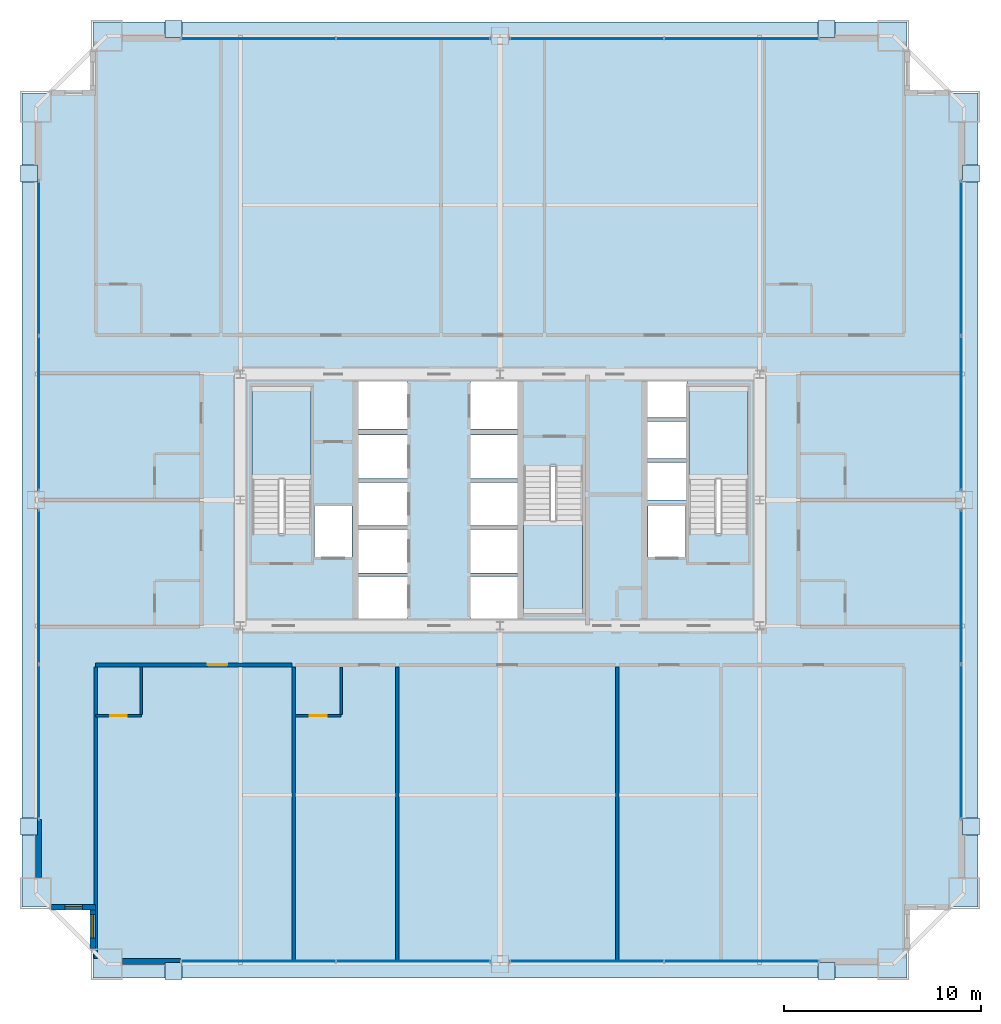
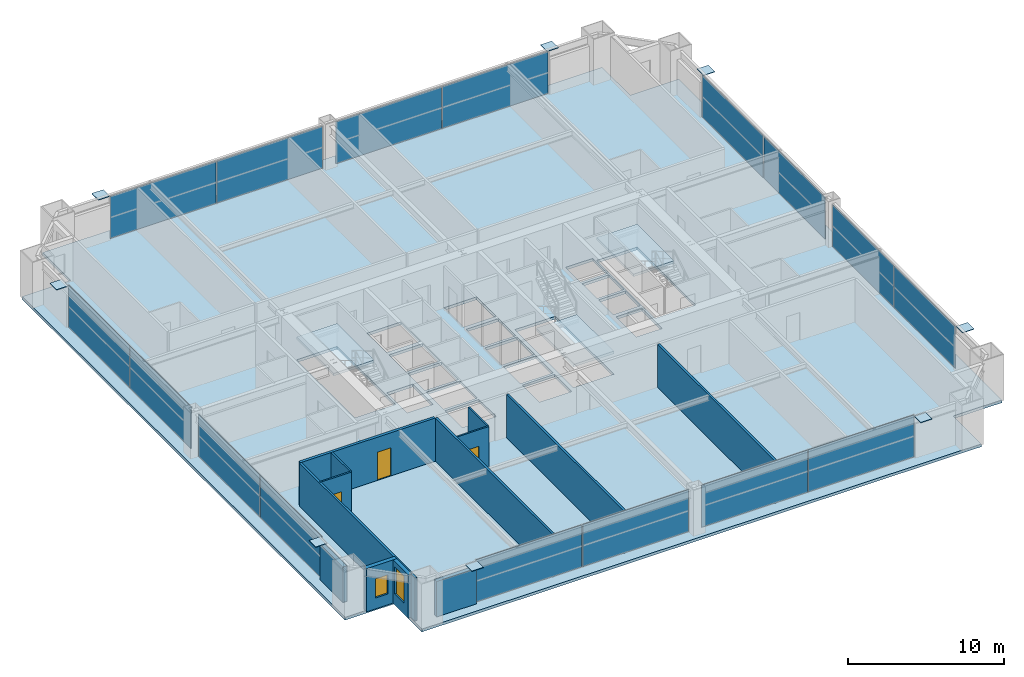
# One storey, part 34 of 39: 24 plates, 13 walls, 4 slabs, 3 doors, 2 windows, 5 openings, 11 elements without a shape of their own.
"""IFC4 building model written with IfcOpenShell, lengths in metres."""

from ifc_helpers import new_model, si_unit, direction, frame, frame_2d, origin, origin_2d, place, context, subcontext, project, spatial, polyline, rectangle, outline, extrude, source, transform, mapped, material, layer, layer_set, type_object, element, fill, aggregate, save


model = new_model("IFC4")

# Units and contexts
model_context = context("Model", 3, precision=1e-05, world=origin(), true_north=direction((0.0, 1.0)))
body_context = subcontext(model_context, "Body", "Model", "MODEL_VIEW")
ifc_project = project(units=[si_unit("LENGTHUNIT", "METRE"), si_unit("AREAUNIT", "SQUARE_METRE"), si_unit("VOLUMEUNIT", "CUBIC_METRE"), si_unit("PLANEANGLEUNIT", "RADIAN"), si_unit("MASSUNIT", "GRAM", prefix="KILO"), si_unit("THERMODYNAMICTEMPERATUREUNIT", "KELVIN"), si_unit("POWERUNIT", "WATT")], contexts=[model_context])

# Site, building, storey
site_placement = place(None, origin())
site = spatial("IfcSite", under=ifc_project, at=site_placement, CompositionType="ELEMENT")
building_placement = place(site_placement, origin())
building = spatial("IfcBuilding", under=site, at=building_placement, Name="Yuzanri Waterfront Tower", CompositionType="ELEMENT")
storey_placement = place(building_placement, frame((0.0, 0.0, 134.39990234375)))
storey = spatial("IfcBuildingStorey", under=building, at=storey_placement, Name="L35", CompositionType="ELEMENT", Elevation=134.39990234375)

# Stair, slab
ifc_material_1 = material(Name="Concrete C40", Category="concrete")
stair_type = type_object("IfcStairType", Name="Concrete C40 Core Dogleg Exit Stair", PredefinedType="HALF_TURN_STAIR", material=ifc_material_1)
stair_1_placement = place(storey_placement, origin())
stair_1 = element("IfcStair", 1, at=stair_1_placement, inside=storey, type_object=stair_type, Name="L35 Smoke-Proof Core Stair ST-01", PredefinedType="HALF_TURN_STAIR")
ifc_material_2 = material(Name="Concrete C40", Category="concrete")
ifc_layer_1 = layer(ifc_material_2, 0.179931640625)
ifc_layer_set_1 = layer_set([ifc_layer_1], Name="Concrete C40")
slab_type_1 = type_object("IfcSlabType", Name="Concrete C40 Stair Half-Landing Slab 180", PredefinedType="LANDING", material=ifc_layer_set_1)
slab_1_placement = place(storey_placement, frame((0.0, 0.0, 1.60009765625)))
slab_1 = element("IfcSlab", 2, at=slab_1_placement, type_object=slab_type_1, Name="ST-01 landing 1", PredefinedType="LANDING", context=body_context, shape_type="SweptSolid", body=[
    extrude(outline(polyline([(27.39990234375, 26.840087890625), (27.39990234375, 31.580078125), (24.39990234375, 31.580078125), (24.39990234375, 26.840087890625), (27.39990234375, 26.840087890625)])), origin(), (0.0, 0.0, 1.0), 0.199951171875),
])
aggregate(stair_1, [slab_1])

stair_2_placement = place(storey_placement, origin())
stair_2 = element("IfcStair", 3, at=stair_2_placement, inside=storey, type_object=stair_type, Name="L35 Smoke-Proof Core Stair ST-02", PredefinedType="HALF_TURN_STAIR")
slab_2_placement = place(storey_placement, frame((0.0, 0.0, 1.60009765625)))
slab_2 = element("IfcSlab", 4, at=slab_2_placement, type_object=slab_type_1, Name="ST-02 landing 1", PredefinedType="LANDING", context=body_context, shape_type="SweptSolid", body=[
    extrude(outline(polyline([(49.60009765625, 26.840087890625), (49.60009765625, 31.580078125), (46.60009765625, 31.580078125), (46.60009765625, 26.840087890625), (49.60009765625, 26.840087890625)])), origin(), (0.0, 0.0, 1.0), 0.199951171875),
])
aggregate(stair_2, [slab_2])

stair_3_placement = place(storey_placement, origin())
stair_3 = element("IfcStair", 5, at=stair_3_placement, inside=storey, type_object=stair_type, Name="L35 Smoke-Proof Core Stair ST-03", PredefinedType="HALF_TURN_STAIR")
slab_3_placement = place(storey_placement, frame((0.0, 0.0, 1.60009765625)))
slab_3 = element("IfcSlab", 6, at=slab_3_placement, type_object=slab_type_1, Name="ST-03 landing 1", PredefinedType="LANDING", context=body_context, shape_type="SweptSolid", body=[
    extrude(outline(polyline([(38.199951171875, 24.760009765625), (38.199951171875, 20.02001953125), (41.199951171875, 20.02001953125), (41.199951171875, 24.760009765625), (38.199951171875, 24.760009765625)])), origin(), (0.0, 0.0, 1.0), 0.199951171875),
])
aggregate(stair_3, [slab_3])

# Slab
ifc_material_3 = material(Name="Concrete C40", Category="concrete")
ifc_layer_2 = layer(ifc_material_3, 0.219970703125)
ifc_layer_set_2 = layer_set([ifc_layer_2], Name="Concrete C40")
slab_type_2 = type_object("IfcSlabType", Name="Concrete C40 Tower Typical Structural Floor Slab 220", PredefinedType="FLOOR", material=ifc_layer_set_2)
slab_4_placement = place(storey_placement, frame((0.0, 0.0, -0.219970703125)))
element("IfcSlab", 7, at=slab_4_placement, inside=storey, type_object=slab_type_2, Name="L35 Main Structural Floor Slab", PredefinedType="FLOOR", context=body_context, shape_type="SweptSolid", body=[
    extrude(outline(polyline([(16.300048828125, 1.5), (57.699951171875, 1.5), (57.699951171875, 5.10009765625), (61.300048828125, 5.10009765625), (61.300048828125, 46.5), (57.699951171875, 46.5), (57.699951171875, 50.10009765625), (16.300048828125, 50.10009765625), (16.300048828125, 46.5), (12.699951171875, 46.5), (12.699951171875, 5.10009765625), (16.300048828125, 5.10009765625), (16.300048828125, 1.5)]), holes=[polyline([(27.39990234375, 24.10009765625), (27.39990234375, 31.580078125), (24.39990234375, 31.580078125), (24.39990234375, 24.10009765625), (27.39990234375, 24.10009765625)]), polyline([(49.60009765625, 24.10009765625), (49.60009765625, 31.580078125), (46.60009765625, 31.580078125), (46.60009765625, 24.10009765625), (49.60009765625, 24.10009765625)]), polyline([(38.199951171875, 27.5), (38.199951171875, 20.02001953125), (41.199951171875, 20.02001953125), (41.199951171875, 27.5), (38.199951171875, 27.5)]), polyline([(27.56005859375, 22.89990234375), (29.47998046875, 22.89990234375), (29.47998046875, 25.5), (27.56005859375, 25.5), (27.56005859375, 22.89990234375)]), polyline([(44.52001953125, 22.89990234375), (46.43994140625, 22.89990234375), (46.43994140625, 25.5), (44.52001953125, 25.5), (44.52001953125, 22.89990234375)]), polyline([(29.800048828125, 19.699951171875), (32.300048828125, 19.699951171875), (32.300048828125, 21.89990234375), (29.800048828125, 21.89990234375), (29.800048828125, 19.699951171875)]), polyline([(29.800048828125, 22.10009765625), (32.300048828125, 22.10009765625), (32.300048828125, 24.300048828125), (29.800048828125, 24.300048828125), (29.800048828125, 22.10009765625)]), polyline([(29.800048828125, 24.5), (32.300048828125, 24.5), (32.300048828125, 26.699951171875), (29.800048828125, 26.699951171875), (29.800048828125, 24.5)]), polyline([(29.800048828125, 26.89990234375), (32.300048828125, 26.89990234375), (32.300048828125, 29.10009765625), (29.800048828125, 29.10009765625), (29.800048828125, 26.89990234375)]), polyline([(29.800048828125, 29.39990234375), (32.300048828125, 29.39990234375), (32.300048828125, 31.89990234375), (29.800048828125, 31.89990234375), (29.800048828125, 29.39990234375)]), polyline([(35.5, 19.699951171875), (37.89990234375, 19.699951171875), (37.89990234375, 21.89990234375), (35.5, 21.89990234375), (35.5, 19.699951171875)]), polyline([(35.5, 22.10009765625), (37.89990234375, 22.10009765625), (37.89990234375, 24.300048828125), (35.5, 24.300048828125), (35.5, 22.10009765625)]), polyline([(35.5, 24.5), (37.89990234375, 24.5), (37.89990234375, 26.699951171875), (35.5, 26.699951171875), (35.5, 24.5)]), polyline([(35.5, 26.89990234375), (37.89990234375, 26.89990234375), (37.89990234375, 29.10009765625), (35.5, 29.10009765625), (35.5, 26.89990234375)]), polyline([(35.5, 29.39990234375), (37.89990234375, 29.39990234375), (37.89990234375, 31.89990234375), (35.5, 31.89990234375), (35.5, 29.39990234375)]), polyline([(44.5, 25.800048828125), (46.5, 25.800048828125), (46.5, 27.699951171875), (44.5, 27.699951171875), (44.5, 25.800048828125)]), polyline([(44.5, 27.89990234375), (46.5, 27.89990234375), (46.5, 29.800048828125), (44.5, 29.800048828125), (44.5, 27.89990234375)]), polyline([(44.5, 30.0), (46.5, 30.0), (46.5, 31.89990234375), (44.5, 31.89990234375), (44.5, 30.0)])]), origin(), (0.0, 0.0, 1.0), 0.219970703125),
])

# Plates
ifc_material_4 = material(Name="Steel Q420GJC", Category="steel")
ifc_layer_3 = layer(ifc_material_4, 0.0400390625)
ifc_layer_set_3 = layer_set([ifc_layer_3], Name="Steel Q420GJC")
plate_type_1 = type_object("IfcPlateType", Name="Steel Q420GJC Mega-Brace Gusset and End-Cap Plate 40", PredefinedType="SHEET", material=ifc_layer_set_3)
shared_shape_1 = source(origin(), body_context, "Body", "SweptSolid", [
    extrude(rectangle(XDim=0.85009765625, YDim=0.85009765625, at=origin_2d()), origin(), (0.0, 0.0, 1.0), 0.0400390625),
])
for number, where, z_axis, x_axis, name in (
    (8, (20.39990234375, 1.860107421875, 3.260009765625), (0.0, 0.0, 1.0), (1.0, 0.0, 0.0), "L35 Mega-Brace Apex Cap Plate S-L"),
    (9, (53.60009765625, 1.860107421875, 3.260009765625), (0.0, 0.0, 1.0), (1.0, 0.0, 0.0), "L35 Mega-Brace Apex Cap Plate S-R"),
    (10, (20.39990234375, 49.739990234375, 3.260009765625), (0.0, 0.0, 1.0), (1.0, 0.0, 0.0), "L35 Mega-Brace Apex Cap Plate N-L"),
    (11, (53.60009765625, 49.739990234375, 3.260009765625), (0.0, 0.0, 1.0), (1.0, 0.0, 0.0), "L35 Mega-Brace Apex Cap Plate N-R"),
    (12, (13.06005859375, 9.199951171875, 3.260009765625), (0.0, 0.0, 1.0), (1.0, 0.0, 0.0), "L35 Mega-Brace Apex Cap Plate W-L"),
    (13, (13.06005859375, 42.39990234375, 3.260009765625), (0.0, 0.0, 1.0), (1.0, 0.0, 0.0), "L35 Mega-Brace Apex Cap Plate W-R"),
    (14, (60.93994140625, 9.199951171875, 3.260009765625), (0.0, 0.0, 1.0), (1.0, 0.0, 0.0), "L35 Mega-Brace Apex Cap Plate E-L"),
    (15, (60.93994140625, 42.39990234375, 3.260009765625), (0.0, 0.0, 1.0), (1.0, 0.0, 0.0), "L35 Mega-Brace Apex Cap Plate E-R"),
):
    element("IfcPlate", number, at=place(storey_placement, frame(where, z_axis=z_axis, x_axis=x_axis)), inside=storey, type_object=plate_type_1, Name=name, PredefinedType="SHEET", context=body_context, shape_type="MappedRepresentation", body=[
        mapped(shared_shape_1, transform((0.0, 0.0, 0.0), scale=1.0)),
    ])

# Curtain wall, plates
ifc_material_5 = material(Name="Anodized Architectural Bronze", Category="metal")
ifc_layer_4 = layer(ifc_material_5, 0.159912109375)
ifc_layer_set_4 = layer_set([ifc_layer_4], Name="Anodized Architectural Bronze")
curtain_wall_type = type_object("IfcCurtainWallType", Name="Anodized Bronze Hotel Upper-Tier Solar-Control Unitized Curtain Wall 7800", PredefinedType="NOTDEFINED", material=ifc_layer_set_4)
curtain_wall_1_placement = place(storey_placement, origin())
curtain_wall_1 = element("IfcCurtainWall", 16, at=curtain_wall_1_placement, inside=storey, type_object=curtain_wall_type, Name="L35 Curtain Wall CW-L35-SL", PredefinedType="NOTDEFINED")
ifc_material_6 = material(Name="Double-Silver Low-E Insulated Glass", Category="glass")
ifc_layer_5 = layer(ifc_material_6, 0.035888671875)
ifc_layer_set_5 = layer_set([ifc_layer_5], Name="Double-Silver Low-E Insulated Glass")
plate_type_2 = type_object("IfcPlateType", Name="Double Silver Low-E Insulated Vision Glass Panel 36", PredefinedType="CURTAIN_PANEL", material=ifc_layer_set_5)
shared_shape_2 = source(origin(), body_context, "Body", "SweptSolid", [
    extrude(rectangle(XDim=7.820068359375, YDim=0.035888671875, at=origin_2d()), origin(), (0.0, 0.0, 1.0), 3.280029296875),
])
plate_1_placement = place(storey_placement, frame((24.699951171875, 2.35009765625, 0.05029296875), z_axis=(0.0, 0.0, 1.0), x_axis=(1.0, 0.0, 0.0)))
plate_1 = element("IfcPlate", 17, at=plate_1_placement, type_object=plate_type_2, Name="CW-L35-SL Vision Glass Panel 01", PredefinedType="CURTAIN_PANEL", context=body_context, shape_type="MappedRepresentation", body=[
    mapped(shared_shape_2, transform((0.0, 0.0, 0.0), scale=1.0)),
])
plate_2_placement = place(storey_placement, frame((32.60009765625, 2.35009765625, 0.05029296875), z_axis=(0.0, 0.0, 1.0), x_axis=(1.0, 0.0, 0.0)))
plate_2 = element("IfcPlate", 18, at=plate_2_placement, type_object=plate_type_2, Name="CW-L35-SL Vision Glass Panel 02", PredefinedType="CURTAIN_PANEL", context=body_context, shape_type="MappedRepresentation", body=[
    mapped(shared_shape_2, transform((0.0, 0.0, 0.0), scale=1.0)),
])
aggregate(curtain_wall_1, [plate_1, plate_2])

curtain_wall_2_placement = place(storey_placement, origin())
curtain_wall_2 = element("IfcCurtainWall", 19, at=curtain_wall_2_placement, inside=storey, type_object=curtain_wall_type, Name="L35 Curtain Wall CW-L35-SR", PredefinedType="NOTDEFINED")
plate_3_placement = place(storey_placement, frame((41.39990234375, 2.35009765625, 0.05029296875), z_axis=(0.0, 0.0, 1.0), x_axis=(1.0, 0.0, 0.0)))
plate_3 = element("IfcPlate", 20, at=plate_3_placement, type_object=plate_type_2, Name="CW-L35-SR Vision Glass Panel 01", PredefinedType="CURTAIN_PANEL", context=body_context, shape_type="MappedRepresentation", body=[
    mapped(shared_shape_2, transform((0.0, 0.0, 0.0), scale=1.0)),
])
plate_4_placement = place(storey_placement, frame((49.300048828125, 2.35009765625, 0.05029296875), z_axis=(0.0, 0.0, 1.0), x_axis=(1.0, 0.0, 0.0)))
plate_4 = element("IfcPlate", 21, at=plate_4_placement, type_object=plate_type_2, Name="CW-L35-SR Vision Glass Panel 02", PredefinedType="CURTAIN_PANEL", context=body_context, shape_type="MappedRepresentation", body=[
    mapped(shared_shape_2, transform((0.0, 0.0, 0.0), scale=1.0)),
])
aggregate(curtain_wall_2, [plate_3, plate_4])

curtain_wall_3_placement = place(storey_placement, origin())
curtain_wall_3 = element("IfcCurtainWall", 22, at=curtain_wall_3_placement, inside=storey, type_object=curtain_wall_type, Name="L35 Curtain Wall CW-L35-NL", PredefinedType="NOTDEFINED")
plate_5_placement = place(storey_placement, frame((24.699951171875, 49.25, 0.05029296875), z_axis=(0.0, 0.0, 1.0), x_axis=(1.0, 0.0, 0.0)))
plate_5 = element("IfcPlate", 23, at=plate_5_placement, type_object=plate_type_2, Name="CW-L35-NL Vision Glass Panel 01", PredefinedType="CURTAIN_PANEL", context=body_context, shape_type="MappedRepresentation", body=[
    mapped(shared_shape_2, transform((0.0, 0.0, 0.0), scale=1.0)),
])
plate_6_placement = place(storey_placement, frame((32.60009765625, 49.25, 0.05029296875), z_axis=(0.0, 0.0, 1.0), x_axis=(1.0, 0.0, 0.0)))
plate_6 = element("IfcPlate", 24, at=plate_6_placement, type_object=plate_type_2, Name="CW-L35-NL Vision Glass Panel 02", PredefinedType="CURTAIN_PANEL", context=body_context, shape_type="MappedRepresentation", body=[
    mapped(shared_shape_2, transform((0.0, 0.0, 0.0), scale=1.0)),
])
aggregate(curtain_wall_3, [plate_5, plate_6])

curtain_wall_4_placement = place(storey_placement, origin())
curtain_wall_4 = element("IfcCurtainWall", 25, at=curtain_wall_4_placement, inside=storey, type_object=curtain_wall_type, Name="L35 Curtain Wall CW-L35-NR", PredefinedType="NOTDEFINED")
plate_7_placement = place(storey_placement, frame((41.39990234375, 49.25, 0.05029296875), z_axis=(0.0, 0.0, 1.0), x_axis=(1.0, 0.0, 0.0)))
plate_7 = element("IfcPlate", 26, at=plate_7_placement, type_object=plate_type_2, Name="CW-L35-NR Vision Glass Panel 01", PredefinedType="CURTAIN_PANEL", context=body_context, shape_type="MappedRepresentation", body=[
    mapped(shared_shape_2, transform((0.0, 0.0, 0.0), scale=1.0)),
])
plate_8_placement = place(storey_placement, frame((49.300048828125, 49.25, 0.05029296875), z_axis=(0.0, 0.0, 1.0), x_axis=(1.0, 0.0, 0.0)))
plate_8 = element("IfcPlate", 27, at=plate_8_placement, type_object=plate_type_2, Name="CW-L35-NR Vision Glass Panel 02", PredefinedType="CURTAIN_PANEL", context=body_context, shape_type="MappedRepresentation", body=[
    mapped(shared_shape_2, transform((0.0, 0.0, 0.0), scale=1.0)),
])
aggregate(curtain_wall_4, [plate_7, plate_8])

curtain_wall_5_placement = place(storey_placement, origin())
curtain_wall_5 = element("IfcCurtainWall", 28, at=curtain_wall_5_placement, inside=storey, type_object=curtain_wall_type, Name="L35 Curtain Wall CW-L35-WL", PredefinedType="NOTDEFINED")
plate_9_placement = place(storey_placement, frame((13.550048828125, 13.5, 0.05029296875), z_axis=(0.0, 0.0, 1.0), x_axis=(0.0, 1.0, 0.0)))
plate_9 = element("IfcPlate", 29, at=plate_9_placement, type_object=plate_type_2, Name="CW-L35-WL Vision Glass Panel 01", PredefinedType="CURTAIN_PANEL", context=body_context, shape_type="MappedRepresentation", body=[
    mapped(shared_shape_2, transform((0.0, 0.0, 0.0), scale=1.0)),
])
plate_10_placement = place(storey_placement, frame((13.550048828125, 21.39990234375, 0.05029296875), z_axis=(0.0, 0.0, 1.0), x_axis=(0.0, 1.0, 0.0)))
plate_10 = element("IfcPlate", 30, at=plate_10_placement, type_object=plate_type_2, Name="CW-L35-WL Vision Glass Panel 02", PredefinedType="CURTAIN_PANEL", context=body_context, shape_type="MappedRepresentation", body=[
    mapped(shared_shape_2, transform((0.0, 0.0, 0.0), scale=1.0)),
])
aggregate(curtain_wall_5, [plate_9, plate_10])

curtain_wall_6_placement = place(storey_placement, origin())
curtain_wall_6 = element("IfcCurtainWall", 31, at=curtain_wall_6_placement, inside=storey, type_object=curtain_wall_type, Name="L35 Curtain Wall CW-L35-WR", PredefinedType="NOTDEFINED")
plate_11_placement = place(storey_placement, frame((13.550048828125, 30.199951171875, 0.05029296875), z_axis=(0.0, 0.0, 1.0), x_axis=(0.0, 1.0, 0.0)))
plate_11 = element("IfcPlate", 32, at=plate_11_placement, type_object=plate_type_2, Name="CW-L35-WR Vision Glass Panel 01", PredefinedType="CURTAIN_PANEL", context=body_context, shape_type="MappedRepresentation", body=[
    mapped(shared_shape_2, transform((0.0, 0.0, 0.0), scale=1.0)),
])
plate_12_placement = place(storey_placement, frame((13.550048828125, 38.10009765625, 0.05029296875), z_axis=(0.0, 0.0, 1.0), x_axis=(0.0, 1.0, 0.0)))
plate_12 = element("IfcPlate", 33, at=plate_12_placement, type_object=plate_type_2, Name="CW-L35-WR Vision Glass Panel 02", PredefinedType="CURTAIN_PANEL", context=body_context, shape_type="MappedRepresentation", body=[
    mapped(shared_shape_2, transform((0.0, 0.0, 0.0), scale=1.0)),
])
aggregate(curtain_wall_6, [plate_11, plate_12])

curtain_wall_7_placement = place(storey_placement, origin())
curtain_wall_7 = element("IfcCurtainWall", 34, at=curtain_wall_7_placement, inside=storey, type_object=curtain_wall_type, Name="L35 Curtain Wall CW-L35-EL", PredefinedType="NOTDEFINED")
plate_13_placement = place(storey_placement, frame((60.449951171875, 13.5, 0.05029296875), z_axis=(0.0, 0.0, 1.0), x_axis=(0.0, 1.0, 0.0)))
plate_13 = element("IfcPlate", 35, at=plate_13_placement, type_object=plate_type_2, Name="CW-L35-EL Vision Glass Panel 01", PredefinedType="CURTAIN_PANEL", context=body_context, shape_type="MappedRepresentation", body=[
    mapped(shared_shape_2, transform((0.0, 0.0, 0.0), scale=1.0)),
])
plate_14_placement = place(storey_placement, frame((60.449951171875, 21.39990234375, 0.05029296875), z_axis=(0.0, 0.0, 1.0), x_axis=(0.0, 1.0, 0.0)))
plate_14 = element("IfcPlate", 36, at=plate_14_placement, type_object=plate_type_2, Name="CW-L35-EL Vision Glass Panel 02", PredefinedType="CURTAIN_PANEL", context=body_context, shape_type="MappedRepresentation", body=[
    mapped(shared_shape_2, transform((0.0, 0.0, 0.0), scale=1.0)),
])
aggregate(curtain_wall_7, [plate_13, plate_14])

curtain_wall_8_placement = place(storey_placement, origin())
curtain_wall_8 = element("IfcCurtainWall", 37, at=curtain_wall_8_placement, inside=storey, type_object=curtain_wall_type, Name="L35 Curtain Wall CW-L35-ER", PredefinedType="NOTDEFINED")
plate_15_placement = place(storey_placement, frame((60.449951171875, 30.199951171875, 0.05029296875), z_axis=(0.0, 0.0, 1.0), x_axis=(0.0, 1.0, 0.0)))
plate_15 = element("IfcPlate", 38, at=plate_15_placement, type_object=plate_type_2, Name="CW-L35-ER Vision Glass Panel 01", PredefinedType="CURTAIN_PANEL", context=body_context, shape_type="MappedRepresentation", body=[
    mapped(shared_shape_2, transform((0.0, 0.0, 0.0), scale=1.0)),
])
plate_16_placement = place(storey_placement, frame((60.449951171875, 38.10009765625, 0.05029296875), z_axis=(0.0, 0.0, 1.0), x_axis=(0.0, 1.0, 0.0)))
plate_16 = element("IfcPlate", 39, at=plate_16_placement, type_object=plate_type_2, Name="CW-L35-ER Vision Glass Panel 02", PredefinedType="CURTAIN_PANEL", context=body_context, shape_type="MappedRepresentation", body=[
    mapped(shared_shape_2, transform((0.0, 0.0, 0.0), scale=1.0)),
])
aggregate(curtain_wall_8, [plate_15, plate_16])

# Wall, opening, door
ifc_material_7 = material(Name="Moisture-Resistant Gypsum Stud Wall", Category="gypsum")
ifc_layer_6 = layer(ifc_material_7, 0.1201171875)
ifc_layer_set_6 = layer_set([ifc_layer_6], Name="Moisture-Resistant Gypsum Stud Wall")
wall_type_1 = type_object("IfcWallType", Name="Bathroom and Kitchen Wet Partition 120", PredefinedType="PARTITIONING", material=ifc_layer_set_6)
wall_1_placement = place(storey_placement, frame((16.43994140625, 14.840087890625, 0.0), z_axis=(0.0, 0.0, 1.0), x_axis=(1.0, 0.0, 0.0)))
wall_1 = element("IfcWall", 40, at=wall_1_placement, inside=storey, type_object=wall_type_1, Name="L35 Partition UW-L35-S1-BS", PredefinedType="PARTITIONING", context=body_context, shape_type="SweptSolid", body=[
    extrude(rectangle(XDim=2.330078125, YDim=0.1201171875, at=frame_2d((1.1650390625, 0.0))), origin(), (0.0, 0.0, 1.0), 3.380126953125),
])
opening_1_placement = place(wall_1_placement, frame((0.739990234375, 0.0, 0.0)))
opening_1 = element("IfcOpeningElement", 41, at=opening_1_placement, cuts=wall_1, Name="Opening ID-0850", PredefinedType="OPENING", context=body_context, shape_type="SweptSolid", body=[
    extrude(rectangle(XDim=0.85009765625, YDim=2.10009765625, at=frame_2d((0.425048828125, 1.050048828125))), frame((0.0, 0.074951171875, 0.0), z_axis=(0.0, -1.0, 0.0), x_axis=(1.0, 0.0, 0.0)), (0.0, 0.0, 1.0), 0.14990234375),
])
ifc_material_8 = material(Name="Moisture-Resistant Lacquered Timber", Category="wood")
door_type_1 = type_object("IfcDoorType", Name="En-Suite Bathroom and Kitchen Swing Door 850x2100", OperationType="NOTDEFINED", PredefinedType="DOOR", material=ifc_material_8)
shared_shape_3 = source(origin(), body_context, "Body", "SweptSolid", [
    extrude(rectangle(XDim=0.85009765625, YDim=2.10009765625, at=frame_2d((0.425048828125, 1.050048828125))), frame((0.0, 0.02490234375, 0.0), z_axis=(0.0, -1.0, 0.0), x_axis=(1.0, 0.0, 0.0)), (0.0, 0.0, 1.0), 0.050048828125),
])
door_1_placement = place(opening_1_placement, origin())
door_1 = element("IfcDoor", 42, at=door_1_placement, inside=storey, type_object=door_type_1, Name="L35 Guest En-Suite Door", OperationType="SINGLE_SWING_RIGHT", OverallHeight=2.10009765625, OverallWidth=0.85009765625, PredefinedType="DOOR", context=body_context, shape_type="MappedRepresentation", body=[
    mapped(shared_shape_3, transform((0.0, 0.0, 0.0), scale=1.0)),
])
fill(opening_1, door_1)

wall_2_placement = place(storey_placement, frame((26.593994140625, 14.840087890625, 0.0), z_axis=(0.0, 0.0, 1.0), x_axis=(1.0, 0.0, 0.0)))
wall_2 = element("IfcWall", 43, at=wall_2_placement, inside=storey, type_object=wall_type_1, Name="L35 Partition UW-L35-S2-BS", PredefinedType="PARTITIONING", context=body_context, shape_type="SweptSolid", body=[
    extrude(rectangle(XDim=2.330078125, YDim=0.1201171875, at=frame_2d((1.1650390625, 0.0))), origin(), (0.0, 0.0, 1.0), 3.380126953125),
])
opening_2_placement = place(wall_2_placement, frame((0.739990234375, 0.0, 0.0)))
opening_2 = element("IfcOpeningElement", 44, at=opening_2_placement, cuts=wall_2, Name="Opening ID-0850", PredefinedType="OPENING", context=body_context, shape_type="SweptSolid", body=[
    extrude(rectangle(XDim=0.85009765625, YDim=2.10009765625, at=frame_2d((0.425048828125, 1.050048828125))), frame((0.0, 0.074951171875, 0.0), z_axis=(0.0, -1.0, 0.0), x_axis=(1.0, 0.0, 0.0)), (0.0, 0.0, 1.0), 0.14990234375),
])
door_2_placement = place(opening_2_placement, origin())
door_2 = element("IfcDoor", 45, at=door_2_placement, inside=storey, type_object=door_type_1, Name="L35 Guest En-Suite Door", OperationType="SINGLE_SWING_RIGHT", OverallHeight=2.10009765625, OverallWidth=0.85009765625, PredefinedType="DOOR", context=body_context, shape_type="MappedRepresentation", body=[
    mapped(shared_shape_3, transform((0.0, 0.0, 0.0), scale=1.0)),
])
fill(opening_2, door_2)

# Wall, opening, window
ifc_material_9 = material(Name="Honed Chongqing Dark Basalt Stone", Category="masonry")
ifc_layer_7 = layer(ifc_material_9, 0.300048828125)
ifc_layer_set_7 = layer_set([ifc_layer_7], Name="Honed Chongqing Dark Basalt Stone")
wall_type_2 = type_object("IfcWallType", Name="Bronze Rainscreen Insulated Spandrel Portal Wall 300", PredefinedType="SOLIDWALL", material=ifc_layer_set_7)
wall_3_placement = place(storey_placement, frame((14.199951171875, 5.10009765625, 0.0), z_axis=(0.0, 0.0, 1.0), x_axis=(1.0, 0.0, 0.0)))
wall_3 = element("IfcWall", 46, at=wall_3_placement, inside=storey, type_object=wall_type_2, Name="L35 Notched Corner Masonry Wall SW-X", PredefinedType="SOLIDWALL", context=body_context, shape_type="SweptSolid", body=[
    extrude(rectangle(XDim=2.25, YDim=0.300048828125, at=frame_2d((1.125, 0.0))), origin(), (0.0, 0.0, 1.0), 3.380126953125),
])
opening_3_placement = place(wall_3_placement, frame((0.675048828125, 0.0, 0.85009765625)))
opening_3 = element("IfcOpeningElement", 47, at=opening_3_placement, cuts=wall_3, Name="Opening WN-05", PredefinedType="OPENING", context=body_context, shape_type="SweptSolid", body=[
    extrude(rectangle(XDim=0.89990234375, YDim=1.5, at=frame_2d((0.449951171875, 0.75))), frame((0.0, 0.1650390625, 0.0), z_axis=(0.0, -1.0, 0.0), x_axis=(1.0, 0.0, 0.0)), (0.0, 0.0, 1.0), 0.329833984375),
])
ifc_material_10 = material(Name="Double-Silver Low-E Insulated Glass", Category="glass")
window_type_1 = type_object("IfcWindowType", Name="Anodized Bronze Service and Stairwell Smoke-Vent Window 900x1500", PartitioningType="SINGLE_PANEL", PredefinedType="WINDOW", material=ifc_material_10)
shared_shape_4 = source(origin(), body_context, "Body", "SweptSolid", [
    extrude(rectangle(XDim=0.89990234375, YDim=1.5, at=frame_2d((0.449951171875, 0.75))), frame((0.0, 0.030029296875, 0.0), z_axis=(0.0, -1.0, 0.0), x_axis=(1.0, 0.0, 0.0)), (0.0, 0.0, 1.0), 0.06005859375),
])
window_1_placement = place(opening_3_placement, origin())
window_1 = element("IfcWindow", 48, at=window_1_placement, inside=storey, type_object=window_type_1, Name="L35 Notched Corner Window SW-X", OverallHeight=1.5, OverallWidth=0.89990234375, PartitioningType="SINGLE_PANEL", PredefinedType="WINDOW", context=body_context, shape_type="MappedRepresentation", body=[
    mapped(shared_shape_4, transform((0.0, 0.0, 0.0), scale=1.0)),
])
fill(opening_3, window_1)

wall_4_placement = place(storey_placement, frame((16.300048828125, 5.25, 0.0), z_axis=(0.0, 0.0, 1.0), x_axis=(0.0, -1.0, 0.0)))
wall_4 = element("IfcWall", 49, at=wall_4_placement, inside=storey, type_object=wall_type_2, Name="L35 Notched Corner Masonry Wall SW-Y", PredefinedType="SOLIDWALL", context=body_context, shape_type="SweptSolid", body=[
    extrude(rectangle(XDim=2.25, YDim=0.300048828125, at=frame_2d((1.125, 0.0))), origin(), (0.0, 0.0, 1.0), 3.380126953125),
])
opening_4_placement = place(wall_4_placement, frame((0.52490234375, 0.0, 0.85009765625)))
opening_4 = element("IfcOpeningElement", 50, at=opening_4_placement, cuts=wall_4, Name="Opening WN-02", PredefinedType="OPENING", context=body_context, shape_type="SweptSolid", body=[
    extrude(rectangle(XDim=1.199951171875, YDim=2.10009765625, at=frame_2d((0.60009765625, 1.050048828125))), frame((0.0, 0.1650390625, 0.0), z_axis=(0.0, -1.0, 0.0), x_axis=(1.0, 0.0, 0.0)), (0.0, 0.0, 1.0), 0.329833984375),
])
ifc_material_11 = material(Name="Double-Silver Low-E Insulated Glass", Category="glass")
window_type_2 = type_object("IfcWindowType", Name="Anodized Bronze Notched Corner Deep-Set Slot Window 1200x2100", PartitioningType="SINGLE_PANEL", PredefinedType="WINDOW", material=ifc_material_11)
shared_shape_5 = source(origin(), body_context, "Body", "SweptSolid", [
    extrude(rectangle(XDim=1.199951171875, YDim=2.10009765625, at=frame_2d((0.60009765625, 1.050048828125))), frame((0.0, 0.030029296875, 0.0), z_axis=(0.0, -1.0, 0.0), x_axis=(1.0, 0.0, 0.0)), (0.0, 0.0, 1.0), 0.06005859375),
])
window_2_placement = place(opening_4_placement, origin())
window_2 = element("IfcWindow", 51, at=window_2_placement, inside=storey, type_object=window_type_2, Name="L35 Notched Corner Window SW-Y", OverallHeight=2.10009765625, OverallWidth=1.199951171875, PartitioningType="SINGLE_PANEL", PredefinedType="WINDOW", context=body_context, shape_type="MappedRepresentation", body=[
    mapped(shared_shape_5, transform((0.0, 0.0, 0.0), scale=1.0)),
])
fill(opening_4, window_2)

# Wall, opening, door
ifc_material_12 = material(Name="Autoclaved Aerated Concrete Blockwork", Category="masonry")
ifc_layer_8 = layer(ifc_material_12, 0.199951171875)
ifc_layer_set_8 = layer_set([ifc_layer_8], Name="Autoclaved Aerated Concrete Blockwork")
wall_type_3 = type_object("IfcWallType", Name="Corridor and Unit Party Fire Wall 200", PredefinedType="PARTITIONING", material=ifc_layer_set_8)
wall_5_placement = place(storey_placement, frame((16.43994140625, 17.419921875, 0.0), z_axis=(0.0, 0.0, 1.0), x_axis=(1.0, 0.0, 0.0)))
wall_5 = element("IfcWall", 52, at=wall_5_placement, inside=storey, type_object=wall_type_3, Name="L35 Partition UW-L35-S1-CN", PredefinedType="PARTITIONING", context=body_context, shape_type="SweptSolid", body=[
    extrude(rectangle(XDim=9.994140625, YDim=0.199951171875, at=frame_2d((4.9970703125, 0.0))), origin(), (0.0, 0.0, 1.0), 3.380126953125),
])
opening_5_placement = place(wall_5_placement, frame((5.701904296875, 0.0, 0.0)))
opening_5 = element("IfcOpeningElement", 53, at=opening_5_placement, cuts=wall_5, Name="Opening FD-1000", PredefinedType="OPENING", context=body_context, shape_type="SweptSolid", body=[
    extrude(rectangle(XDim=1.0, YDim=2.199951171875, at=frame_2d((0.5, 1.10009765625))), frame((0.0, 0.11474609375, 0.0), z_axis=(0.0, -1.0, 0.0), x_axis=(1.0, 0.0, 0.0)), (0.0, 0.0, 1.0), 0.229736328125),
])
ifc_material_13 = material(Name="Engineered Oak Fire-Rated Timber", Category="wood")
door_type_2 = type_object("IfcDoorType", Name="Guestroom and Apartment Entrance Fire Door 1000x2200", OperationType="NOTDEFINED", PredefinedType="DOOR", material=ifc_material_13)
shared_shape_6 = source(origin(), body_context, "Body", "SweptSolid", [
    extrude(rectangle(XDim=1.0, YDim=2.199951171875, at=frame_2d((0.5, 1.10009765625))), frame((0.0, 0.02490234375, 0.0), z_axis=(0.0, -1.0, 0.0), x_axis=(1.0, 0.0, 0.0)), (0.0, 0.0, 1.0), 0.050048828125),
])
door_3_placement = place(opening_5_placement, origin())
door_3 = element("IfcDoor", 54, at=door_3_placement, inside=storey, type_object=door_type_2, Name="L35 Junior Suite Entrance Door", OperationType="SINGLE_SWING_LEFT", OverallHeight=2.199951171875, OverallWidth=1.0, PredefinedType="DOOR", context=body_context, shape_type="MappedRepresentation", body=[
    mapped(shared_shape_6, transform((0.0, 0.0, 0.0), scale=1.0)),
])
fill(opening_5, door_3)

# Walls
shared_shape_7 = source(origin(), body_context, "Body", "SweptSolid", [
    extrude(rectangle(XDim=2.949951171875, YDim=0.300048828125, at=frame_2d((1.47509765625, 0.0))), origin(), (0.0, 0.0, 1.0), 2.775146484375),
])
for number, where, z_axis, x_axis, name in (
    (55, (17.800048828125, 2.35009765625, 0.0), (0.0, 0.0, 1.0), (1.0, 0.0, 0.0), "L35 S Left Braced Masonry Shoulder"),
    (56, (13.550048828125, 6.60009765625, 0.0), (0.0, 0.0, 1.0), (0.0, 1.0, 0.0), "L35 W Left Braced Masonry Shoulder"),
):
    element("IfcWall", number, at=place(storey_placement, frame(where, z_axis=z_axis, x_axis=x_axis)), inside=storey, type_object=wall_type_2, Name=name, PredefinedType="SOLIDWALL", context=body_context, shape_type="MappedRepresentation", body=[
        mapped(shared_shape_7, transform((0.0, 0.0, 0.0), scale=1.0)),
    ])
shared_shape_8 = source(origin(), body_context, "Body", "SweptSolid", [
    extrude(rectangle(XDim=2.420166015625, YDim=0.1201171875, at=frame_2d((1.2099609375, 0.0))), origin(), (0.0, 0.0, 1.0), 3.380126953125),
])
for number, where, z_axis, x_axis, name in (
    (57, (18.77001953125, 14.89990234375, 0.0), (0.0, 0.0, 1.0), (0.0, 1.0, 0.0), "L35-S1 En-Suite Side Wall"),
    (58, (28.924072265625, 14.89990234375, 0.0), (0.0, 0.0, 1.0), (0.0, 1.0, 0.0), "L35-S2 En-Suite Side Wall"),
):
    element("IfcWall", number, at=place(storey_placement, frame(where, z_axis=z_axis, x_axis=x_axis)), inside=storey, type_object=wall_type_1, Name=name, PredefinedType="PARTITIONING", context=body_context, shape_type="MappedRepresentation", body=[
        mapped(shared_shape_8, transform((0.0, 0.0, 0.0), scale=1.0)),
    ])
ifc_material_14 = material(Name="Gypsum Fireboard Acoustic Stud Wall", Category="gypsum")
ifc_layer_9 = layer(ifc_material_14, 0.159912109375)
ifc_layer_set_9 = layer_set([ifc_layer_9], Name="Gypsum Fireboard Acoustic Stud Wall")
wall_type_4 = type_object("IfcWallType", Name="Acoustic Suite Demising Partition 160", PredefinedType="PARTITIONING", material=ifc_layer_set_9)
shared_shape_9 = source(origin(), body_context, "Body", "SweptSolid", [
    extrude(rectangle(XDim=14.969970703125, YDim=0.159912109375, at=frame_2d((7.48486328125, 0.0))), origin(), (0.0, 0.0, 1.0), 3.380126953125),
])
for number, where, z_axis, x_axis, name in (
    (59, (26.513916015625, 2.35009765625, 0.0), (0.0, 0.0, 1.0), (0.0, 1.0, 0.0), "L35-S1 Party Wall"),
    (60, (31.778076171875, 2.35009765625, 0.0), (0.0, 0.0, 1.0), (0.0, 1.0, 0.0), "L35-S2 Party Wall"),
    (61, (42.9619140625, 2.35009765625, 0.0), (0.0, 0.0, 1.0), (0.0, 1.0, 0.0), "L35-S3 Party Wall"),
):
    element("IfcWall", number, at=place(storey_placement, frame(where, z_axis=z_axis, x_axis=x_axis)), inside=storey, type_object=wall_type_4, Name=name, PredefinedType="PARTITIONING", context=body_context, shape_type="MappedRepresentation", body=[
        mapped(shared_shape_9, transform((0.0, 0.0, 0.0), scale=1.0)),
    ])
shared_shape_10 = source(origin(), body_context, "Body", "SweptSolid", [
    extrude(rectangle(XDim=14.820068359375, YDim=0.159912109375, at=frame_2d((7.41015625, 0.0))), origin(), (0.0, 0.0, 1.0), 3.380126953125),
])
wall_6_placement = place(storey_placement, frame((16.449951171875, 2.5, 0.0), z_axis=(0.0, 0.0, 1.0), x_axis=(0.0, 1.0, 0.0)))
element("IfcWall", 62, at=wall_6_placement, inside=storey, type_object=wall_type_4, Name="L35 South Band West End Wall", PredefinedType="PARTITIONING", context=body_context, shape_type="MappedRepresentation", body=[
    mapped(shared_shape_10, transform((0.0, 0.0, 0.0), scale=1.0)),
])

save(model, "model.ifc")
